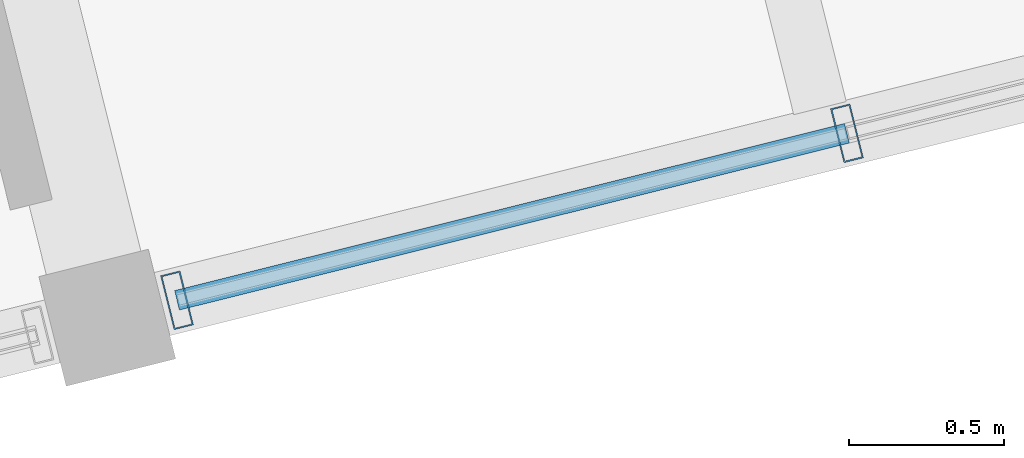
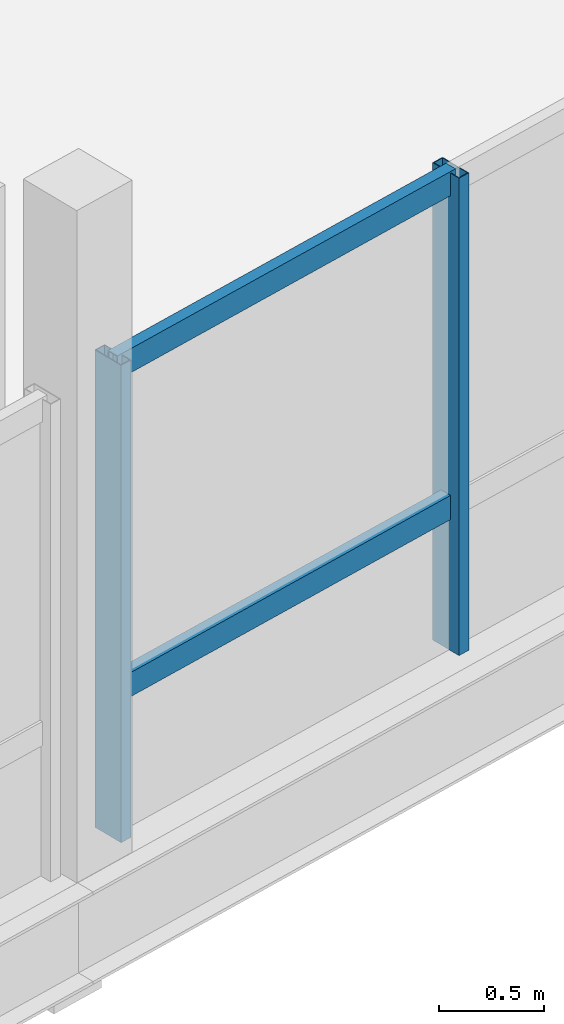
# One storey, part 5 of 26: 4 members, 1 element without a shape of its own.
"""IFC4 building model written with IfcOpenShell, lengths in metres."""

from ifc_helpers import new_model, si_unit, direction, frame, origin, origin_2d, place, context, subcontext, project, spatial, hollow_rectangle, extrude, material, layer, layer_set, material_profile, profile_set, type_object, element, aggregate, save


model = new_model("IFC4")

# Units and contexts
model_context = context("Model", 3, precision=1e-05, world=origin(), true_north=direction((0.0, 1.0)))
body_context = subcontext(model_context, "Body", "Model", "MODEL_VIEW")
ifc_project = project(units=[si_unit("LENGTHUNIT", "METRE"), si_unit("AREAUNIT", "SQUARE_METRE"), si_unit("VOLUMEUNIT", "CUBIC_METRE"), si_unit("PLANEANGLEUNIT", "RADIAN"), si_unit("MASSUNIT", "GRAM", prefix="KILO")], contexts=[model_context])

# Site, building, storey
site_placement = place(None, origin())
site = spatial("IfcSite", under=ifc_project, at=site_placement, CompositionType="ELEMENT")
building_placement = place(site_placement, origin())
building = spatial("IfcBuilding", under=site, at=building_placement, Name="Meriwether Solvik Hall", CompositionType="ELEMENT")
storey_placement = place(building_placement, frame((0.0, 0.0, 41.699951171875)))
storey = spatial("IfcBuildingStorey", under=building, at=storey_placement, Name="L10", CompositionType="ELEMENT", Elevation=41.699951171875)

# Curtain wall, members
ifc_material_1 = material(Name="Thermally Broken Anodised Aluminium 6063-T6 and Low-E Glass", Category="aluminium")
ifc_layer = layer(ifc_material_1, 0.179931640625)
ifc_layer_set = layer_set([ifc_layer], Name="Thermally Broken Anodised Aluminium 6063-T6 and Low-E Glass")
curtain_wall_type = type_object("IfcCurtainWallType", Name="CW-UNIT-D", PredefinedType="USERDEFINED", material=ifc_layer_set)
curtain_wall_placement = place(storey_placement, origin())
curtain_wall = element("IfcCurtainWall", 1, at=curtain_wall_placement, inside=storey, type_object=curtain_wall_type, Name="Curtain Wall E0_B3 (L10)", ObjectType="UNITISED CURTAIN WALL", PredefinedType="USERDEFINED")
ifc_material_2 = material(Name="Anodised Aluminium 6063-T6", Category="aluminium")
ifc_material_profile_1 = material_profile(ifc_material_2, hollow_rectangle(XDim=0.06494140625, YDim=0.179931640625, WallThickness=0.00439453125, at=origin_2d()), Name="CWM-65X180")
ifc_profile_set_1 = profile_set([ifc_material_profile_1], Name="Anodised Aluminium 6063-T6")
member_type_1 = type_object("IfcMemberType", Name="CW-MUL-65X180", PredefinedType="MULLION", material=ifc_profile_set_1)
member_1_placement = place(storey_placement, frame((92.338134765625, 47.11865234375, 0.0), z_axis=(0.0, 0.0, 1.0), x_axis=(-0.97029573429, -0.241921863457, 0.0)))
member_1 = element("IfcMember", 2, at=member_1_placement, type_object=member_type_1, Name="Curtain Wall Mullion 3", PredefinedType="MULLION", context=body_context, shape_type="SweptSolid", body=[
    extrude(hollow_rectangle(XDim=0.06494140625, YDim=0.179931640625, WallThickness=0.00439453125, at=origin_2d()), origin(), (0.0, 0.0, 1.0), 2.77001953125),
])
member_2_placement = place(storey_placement, frame((90.172119140625, 46.57861328125, 0.0), z_axis=(0.0, 0.0, 1.0), x_axis=(-0.97029573429, -0.241921863457, 0.0)))
member_2 = element("IfcMember", 3, at=member_2_placement, type_object=member_type_1, Name="Curtain Wall Mullion 4", PredefinedType="MULLION", context=body_context, shape_type="SweptSolid", body=[
    extrude(hollow_rectangle(XDim=0.06494140625, YDim=0.179931640625, WallThickness=0.00439453125, at=origin_2d()), origin(), (0.0, 0.0, 1.0), 2.77001953125),
])
ifc_material_3 = material(Name="Anodised Aluminium 6063-T6", Category="aluminium")
ifc_material_profile_2 = material_profile(ifc_material_3, hollow_rectangle(XDim=0.06494140625, YDim=0.139892578125, WallThickness=0.00439453125, at=origin_2d()), Name="CWT-65X140")
ifc_profile_set_2 = profile_set([ifc_material_profile_2], Name="Anodised Aluminium 6063-T6")
member_type_2 = type_object("IfcMemberType", Name="CW-TRN-65X140", PredefinedType="USERDEFINED", material=ifc_profile_set_2)
member_3_placement = place(storey_placement, frame((92.338134765625, 47.11865234375, 0.8310546875), z_axis=(-0.970296702868, -0.241917978668, 0.0), x_axis=(0.241917978668, -0.970296702868, 0.0)))
member_3 = element("IfcMember", 4, at=member_3_placement, type_object=member_type_2, Name="Curtain Wall Transom 3-sill", ObjectType="TRANSOM", PredefinedType="USERDEFINED", context=body_context, shape_type="SweptSolid", body=[
    extrude(hollow_rectangle(XDim=0.06494140625, YDim=0.139892578125, WallThickness=0.00439453125, at=origin_2d()), origin(), (0.0, 0.0, 1.0), 2.232421875),
])
member_4_placement = place(storey_placement, frame((92.338134765625, 47.11865234375, 2.7099609375), z_axis=(-0.970296702868, -0.241917978668, 0.0), x_axis=(0.241917978668, -0.970296702868, 0.0)))
member_4 = element("IfcMember", 5, at=member_4_placement, type_object=member_type_2, Name="Curtain Wall Transom 3-head", ObjectType="TRANSOM", PredefinedType="USERDEFINED", context=body_context, shape_type="SweptSolid", body=[
    extrude(hollow_rectangle(XDim=0.06494140625, YDim=0.139892578125, WallThickness=0.00439453125, at=origin_2d()), origin(), (0.0, 0.0, 1.0), 2.232421875),
])
aggregate(curtain_wall, [member_1, member_2, member_3, member_4])

save(model, "model.ifc")
